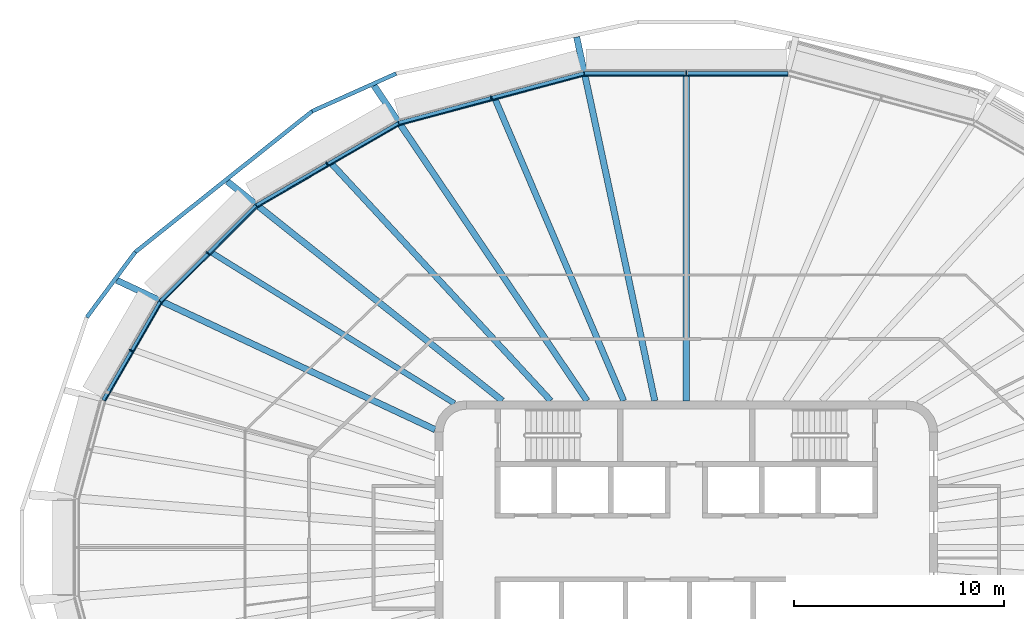
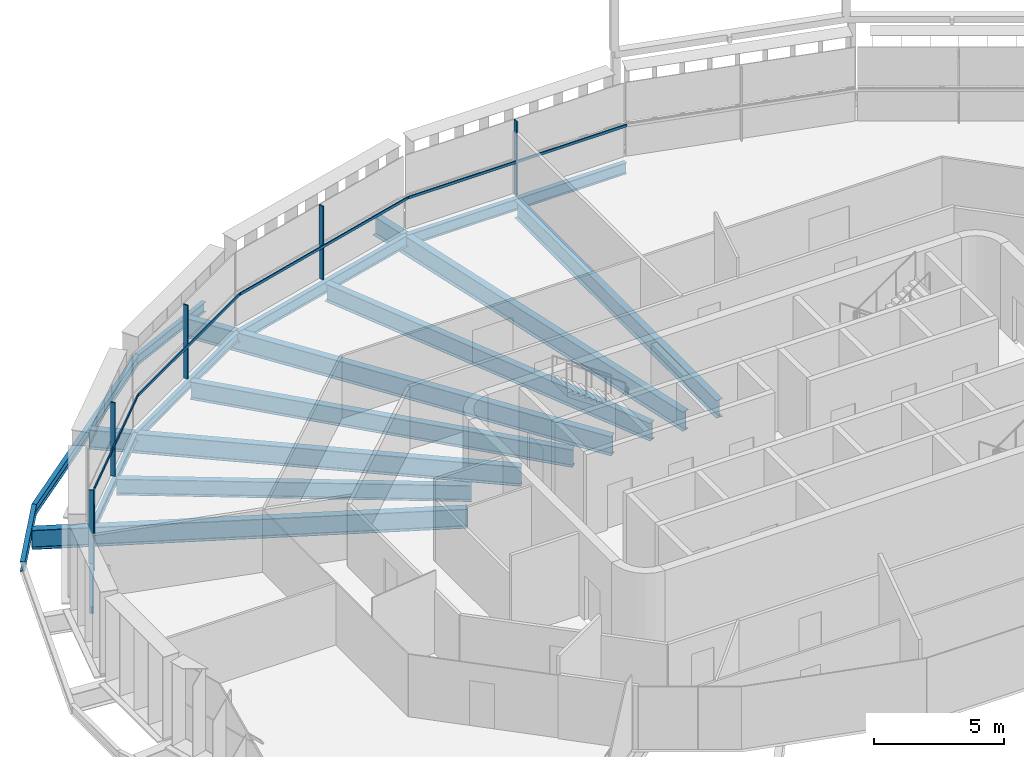
# One storey, part 5 of 19: 16 beams, 10 members, 5 elements without a shape of their own.
"""IFC4 building model written with IfcOpenShell, lengths in metres."""

from ifc_helpers import new_model, si_unit, direction, frame, origin, origin_2d, place, context, subcontext, project, spatial, rectangle, i_section, extrude, material, layer, layer_set, material_profile, profile_set, type_object, element, aggregate, save


model = new_model("IFC4")

# Units and contexts
model_context = context("Model", 3, precision=1e-05, world=origin(), true_north=direction((0.0, 1.0)))
body_context = subcontext(model_context, "Body", "Model", "MODEL_VIEW")
ifc_project = project(units=[si_unit("LENGTHUNIT", "METRE"), si_unit("AREAUNIT", "SQUARE_METRE"), si_unit("VOLUMEUNIT", "CUBIC_METRE"), si_unit("PLANEANGLEUNIT", "RADIAN"), si_unit("MASSUNIT", "GRAM", prefix="KILO")], contexts=[model_context])

# Site, building, storey
site_placement = place(None, origin())
site = spatial("IfcSite", under=ifc_project, at=site_placement, CompositionType="ELEMENT")
building_placement = place(site_placement, origin())
building = spatial("IfcBuilding", under=site, at=building_placement, Name="Sahrelin Media Tower", CompositionType="ELEMENT")
storey_placement = place(building_placement, frame((0.0, 0.0, 279.0)))
storey = spatial("IfcBuildingStorey", under=building, at=storey_placement, Name="L61", CompositionType="ELEMENT", Elevation=279.0)

# Beams
ifc_material_1 = material(Name="Steel S355", Category="steel")
ifc_material_profile_1 = material_profile(ifc_material_1, i_section(OverallWidth=0.1650390625, OverallDepth=0.303466796875, WebThickness=0.006103515625, FlangeThickness=0.01025390625, FilletRadius=0.0087890625, at=origin_2d()), Name="UB 305x165x40")
ifc_profile_set_1 = profile_set([ifc_material_profile_1], Name="Steel S355")
beam_type_1 = type_object("IfcBeamType", Name="Edge beam EB2", PredefinedType="BEAM", material=ifc_profile_set_1)
beam_1_placement = place(storey_placement, frame((-27.821044921875, 7.0302734375, -0.3017578125), z_axis=(0.500004447669, 0.866022835906, 0.0), x_axis=(-0.866022835906, 0.500004447669, 0.0)))
element("IfcBeam", 1, at=beam_1_placement, inside=storey, type_object=beam_type_1, Name="Edge beam L61-11", PredefinedType="BEAM", context=body_context, shape_type="SweptSolid", body=[
    extrude(i_section(OverallWidth=0.1650390625, OverallDepth=0.303466796875, WebThickness=0.006103515625, FlangeThickness=0.01025390625, FilletRadius=0.0087890625, at=origin_2d()), origin(), (0.0, 0.0, 1.0), 5.4208984375),
])
ifc_material_profile_2 = material_profile(ifc_material_1, i_section(OverallWidth=0.17138671875, OverallDepth=0.35498046875, WebThickness=0.00732421875, FlangeThickness=0.011474609375, FilletRadius=0.01025390625, at=origin_2d()), Name="UB 356x171x51")
ifc_profile_set_2 = profile_set([ifc_material_profile_2], Name="Steel S355")
beam_type_2 = type_object("IfcBeamType", Name="Edge beam EB3", PredefinedType="BEAM", material=ifc_profile_set_2)
beam_2_placement = place(storey_placement, frame((-25.093017578125, 11.747802734375, -0.327392578125), z_axis=(0.707106781187, 0.707106781187, 0.0), x_axis=(-0.707106781187, 0.707106781187, 0.0)))
element("IfcBeam", 2, at=beam_2_placement, inside=storey, type_object=beam_type_2, Name="Edge beam L61-12", PredefinedType="BEAM", context=body_context, shape_type="SweptSolid", body=[
    extrude(i_section(OverallWidth=0.17138671875, OverallDepth=0.35498046875, WebThickness=0.00732421875, FlangeThickness=0.011474609375, FilletRadius=0.01025390625, at=origin_2d()), origin(), (0.0, 0.0, 1.0), 6.448486328125),
])
ifc_material_profile_3 = material_profile(ifc_material_1, i_section(OverallWidth=0.177978515625, OverallDepth=0.406494140625, WebThickness=0.0078125, FlangeThickness=0.0126953125, FilletRadius=0.01025390625, at=origin_2d()), Name="UB 406x178x60")
ifc_profile_set_3 = profile_set([ifc_material_profile_3], Name="Steel S355")
beam_type_3 = type_object("IfcBeamType", Name="Edge beam EB4", PredefinedType="BEAM", material=ifc_profile_set_3)
beam_3_placement = place(storey_placement, frame((-20.510498046875, 16.324951171875, -0.353271484375), z_axis=(0.866023391957, 0.500003484571, 0.0), x_axis=(-0.500003484571, 0.866023391957, 0.0)))
element("IfcBeam", 3, at=beam_3_placement, inside=storey, type_object=beam_type_3, Name="Edge beam L61-13", PredefinedType="BEAM", context=body_context, shape_type="SweptSolid", body=[
    extrude(i_section(OverallWidth=0.177978515625, OverallDepth=0.406494140625, WebThickness=0.0078125, FlangeThickness=0.0126953125, FilletRadius=0.01025390625, at=origin_2d()), origin(), (0.0, 0.0, 1.0), 7.82080078125),
])
ifc_material_profile_4 = material_profile(ifc_material_1, i_section(OverallWidth=0.208740234375, OverallDepth=0.5283203125, WebThickness=0.009521484375, FlangeThickness=0.01318359375, FilletRadius=0.0126953125, at=origin_2d()), Name="UB 533x210x82")
ifc_profile_set_4 = profile_set([ifc_material_profile_4], Name="Steel S355")
beam_type_4 = type_object("IfcBeamType", Name="Edge beam EB6", PredefinedType="BEAM", material=ifc_profile_set_4)
beam_4_placement = place(storey_placement, frame((-13.7109375, 20.246337890625, -0.4140625), z_axis=(0.96592253305, 0.258831335326, 0.0), x_axis=(-0.258831335326, 0.96592253305, 0.0)))
element("IfcBeam", 4, at=beam_4_placement, inside=storey, type_object=beam_type_4, Name="Edge beam L61-14", PredefinedType="BEAM", context=body_context, shape_type="SweptSolid", body=[
    extrude(i_section(OverallWidth=0.208740234375, OverallDepth=0.5283203125, WebThickness=0.009521484375, FlangeThickness=0.01318359375, FilletRadius=0.0126953125, at=origin_2d()), origin(), (0.0, 0.0, 1.0), 9.13916015625),
])
beam_5_placement = place(storey_placement, frame((-4.8544921875, 22.615478515625, -0.4140625), z_axis=(1.0, 0.0, 0.0), x_axis=(0.0, 1.0, 0.0)))
element("IfcBeam", 5, at=beam_5_placement, inside=storey, type_object=beam_type_4, Name="Edge beam L61-15", PredefinedType="BEAM", context=body_context, shape_type="SweptSolid", body=[
    extrude(i_section(OverallWidth=0.208740234375, OverallDepth=0.5283203125, WebThickness=0.009521484375, FlangeThickness=0.01318359375, FilletRadius=0.0126953125, at=origin_2d()), origin(), (0.0, 0.0, 1.0), 9.708984375),
])

# Curtain wall, member
ifc_material_2 = material(Name="Champagne anodised aluminium 6063-T6", Category="aluminium")
ifc_layer = layer(ifc_material_2, 0.14990234375)
ifc_layer_set = layer_set([ifc_layer], Name="Tower ribbon curtain wall")
curtain_wall_type = type_object("IfcCurtainWallType", Name="Tower ribbon curtain wall", PredefinedType="NOTDEFINED", material=ifc_layer_set)
curtain_wall_1_placement = place(storey_placement, frame((0.0, 22.765380859375, 0.0), z_axis=(0.0, 0.0, 1.0), x_axis=(1.0, 0.0, 0.0)))
curtain_wall_1 = element("IfcCurtainWall", 6, at=curtain_wall_1_placement, inside=storey, type_object=curtain_wall_type, Name="L61:CW:L61-06", PredefinedType="NOTDEFINED")
ifc_material_profile_5 = material_profile(ifc_material_2, rectangle(XDim=0.06005859375, YDim=0.199951171875, at=origin_2d()), Name="Mullion 60x200")
ifc_profile_set_5 = profile_set([ifc_material_profile_5], Name="Champagne anodised aluminium 6063-T6")
member_type_1 = type_object("IfcMemberType", Name="Mullion 60x200 CW1C", PredefinedType="MULLION", material=ifc_profile_set_5)
member_1_placement = place(storey_placement, frame((0.0, 22.6455078125, 0.0), z_axis=(0.0, 0.0, 1.0), x_axis=(-1.0, 0.0, 0.0)))
member_1 = element("IfcMember", 7, at=member_1_placement, type_object=member_type_1, Name="L61:CWM:L61-06", PredefinedType="MULLION", context=body_context, shape_type="SweptSolid", body=[
    extrude(rectangle(XDim=0.06005859375, YDim=0.199951171875, at=origin_2d()), origin(), (0.0, 0.0, 1.0), 3.448486328125),
])

curtain_wall_2_placement = place(storey_placement, frame((-9.335693359375, 21.573974609375, 0.0), z_axis=(0.0, 0.0, 1.0), x_axis=(1.0, 0.0, 0.0)))
curtain_wall_2 = element("IfcCurtainWall", 8, at=curtain_wall_2_placement, inside=storey, type_object=curtain_wall_type, Name="L61:CW:L61-07", PredefinedType="NOTDEFINED")
member_2_placement = place(storey_placement, frame((-9.3046875, 21.4580078125, 0.0), z_axis=(0.0, 0.0, 1.0), x_axis=(-0.965926278012, -0.258817359244, 0.0)))
member_2 = element("IfcMember", 9, at=member_2_placement, type_object=member_type_1, Name="L61:CWM:L61-07", PredefinedType="MULLION", context=body_context, shape_type="SweptSolid", body=[
    extrude(rectangle(XDim=0.06005859375, YDim=0.199951171875, at=origin_2d()), origin(), (0.0, 0.0, 1.0), 3.448486328125),
])

curtain_wall_3_placement = place(storey_placement, frame((-17.198974609375, 18.41015625, 0.0), z_axis=(0.0, 0.0, 1.0), x_axis=(1.0, 0.0, 0.0)))
curtain_wall_3 = element("IfcCurtainWall", 10, at=curtain_wall_3_placement, inside=storey, type_object=curtain_wall_type, Name="L61:CW:L61-08", PredefinedType="NOTDEFINED")
member_3_placement = place(storey_placement, frame((-17.138916015625, 18.30615234375, 0.0), z_axis=(0.0, 0.0, 1.0), x_axis=(-0.866027149108, -0.499996976998, 0.0)))
member_3 = element("IfcMember", 11, at=member_3_placement, type_object=member_type_1, Name="L61:CWM:L61-08", PredefinedType="MULLION", context=body_context, shape_type="SweptSolid", body=[
    extrude(rectangle(XDim=0.06005859375, YDim=0.199951171875, at=origin_2d()), origin(), (0.0, 0.0, 1.0), 3.448486328125),
])

curtain_wall_4_placement = place(storey_placement, frame((-22.919189453125, 14.1337890625, 0.0), z_axis=(0.0, 0.0, 1.0), x_axis=(1.0, 0.0, 0.0)))
curtain_wall_4 = element("IfcCurtainWall", 12, at=curtain_wall_4_placement, inside=storey, type_object=curtain_wall_type, Name="L61:CW:L61-09", PredefinedType="NOTDEFINED")
member_4_placement = place(storey_placement, frame((-22.83447265625, 14.048828125, 0.0), z_axis=(0.0, 0.0, 1.0), x_axis=(-0.707106781187, -0.707106781187, 0.0)))
member_4 = element("IfcMember", 13, at=member_4_placement, type_object=member_type_1, Name="L61:CWM:L61-09", PredefinedType="MULLION", context=body_context, shape_type="SweptSolid", body=[
    extrude(rectangle(XDim=0.06005859375, YDim=0.199951171875, at=origin_2d()), origin(), (0.0, 0.0, 1.0), 3.448486328125),
])

curtain_wall_5_placement = place(storey_placement, frame((-26.595703125, 9.452392578125, 0.0), z_axis=(0.0, 0.0, 1.0), x_axis=(1.0, 0.0, 0.0)))
curtain_wall_5 = element("IfcCurtainWall", 14, at=curtain_wall_5_placement, inside=storey, type_object=curtain_wall_type, Name="L61:CW:L61-10", PredefinedType="NOTDEFINED")
member_5_placement = place(storey_placement, frame((-26.49169921875, 9.392578125, 0.0), z_axis=(0.0, 0.0, 1.0), x_axis=(-0.499996976998, -0.866027149108, 0.0)))
member_5 = element("IfcMember", 15, at=member_5_placement, type_object=member_type_1, Name="L61:CWM:L61-10", PredefinedType="MULLION", context=body_context, shape_type="SweptSolid", body=[
    extrude(rectangle(XDim=0.06005859375, YDim=0.199951171875, at=origin_2d()), origin(), (0.0, 0.0, 1.0), 3.448486328125),
])

# Beams
ifc_material_profile_6 = material_profile(ifc_material_1, i_section(OverallWidth=0.30322265625, OverallDepth=0.903076171875, WebThickness=0.01513671875, FlangeThickness=0.020263671875, FilletRadius=0.01904296875, at=origin_2d()), Name="UB 914x305x201")
ifc_profile_set_6 = profile_set([ifc_material_profile_6], Name="Steel S355")
beam_type_5 = type_object("IfcBeamType", Name="Radial primary beam PB11", PredefinedType="BEAM", material=ifc_profile_set_6)
beam_6_placement = place(storey_placement, frame((-1.50341796875, 7.0, -0.6015625), z_axis=(-0.209955483333, 0.977710946558, 0.0), x_axis=(-0.977710946558, -0.209955483333, 0.0)))
element("IfcBeam", 16, at=beam_6_placement, inside=storey, type_object=beam_type_5, Name="Radial beam L61-07", PredefinedType="BEAM", context=body_context, shape_type="SweptSolid", body=[
    extrude(i_section(OverallWidth=0.30322265625, OverallDepth=0.903076171875, WebThickness=0.01513671875, FlangeThickness=0.020263671875, FilletRadius=0.01904296875, at=origin_2d()), origin(), (0.0, 0.0, 1.0), 17.751708984375),
])
beam_7_placement = place(storey_placement, frame((-4.7333984375, 7.0, -0.6015625), z_axis=(-0.560166073141, 0.828380329621, 0.0), x_axis=(-0.828380329621, -0.560166073141, 0.0)))
element("IfcBeam", 17, at=beam_7_placement, inside=storey, type_object=beam_type_5, Name="Radial beam L61-08", PredefinedType="BEAM", context=body_context, shape_type="SweptSolid", body=[
    extrude(i_section(OverallWidth=0.30322265625, OverallDepth=0.903076171875, WebThickness=0.01513671875, FlangeThickness=0.020263671875, FilletRadius=0.01904296875, at=origin_2d()), origin(), (0.0, 0.0, 1.0), 18.153076171875),
])
beam_8_placement = place(storey_placement, frame((-8.77880859375, 7.0, -0.6015625), z_axis=(-0.781873501952, 0.62343710745, 0.0), x_axis=(-0.62343710745, -0.781873501952, 0.0)))
element("IfcBeam", 18, at=beam_8_placement, inside=storey, type_object=beam_type_5, Name="Radial beam L61-09", PredefinedType="BEAM", context=body_context, shape_type="SweptSolid", body=[
    extrude(i_section(OverallWidth=0.30322265625, OverallDepth=0.903076171875, WebThickness=0.01513671875, FlangeThickness=0.020263671875, FilletRadius=0.01904296875, at=origin_2d()), origin(), (0.0, 0.0, 1.0), 16.79150390625),
])
beam_9_placement = place(storey_placement, frame((-11.984130859375, 5.620361328125, -0.6015625), z_axis=(-0.905376992167, 0.42460864576, 0.0), x_axis=(-0.42460864576, -0.905376992167, 0.0)))
element("IfcBeam", 19, at=beam_9_placement, inside=storey, type_object=beam_type_5, Name="Radial beam L61-10", PredefinedType="BEAM", context=body_context, shape_type="SweptSolid", body=[
    extrude(i_section(OverallWidth=0.30322265625, OverallDepth=0.903076171875, WebThickness=0.01513671875, FlangeThickness=0.020263671875, FilletRadius=0.01904296875, at=origin_2d()), origin(), (0.0, 0.0, 1.0), 16.78466796875),
])
ifc_material_profile_7 = material_profile(ifc_material_1, i_section(OverallWidth=0.291748046875, OverallDepth=0.8349609375, WebThickness=0.013916015625, FlangeThickness=0.018798828125, FilletRadius=0.017822265625, at=origin_2d()), Name="UB 838x292x176")
ifc_profile_set_7 = profile_set([ifc_material_profile_7], Name="Steel S355")
beam_type_6 = type_object("IfcBeamType", Name="Radial secondary beam SB10", PredefinedType="BEAM", material=ifc_profile_set_7)
beam_10_placement = place(storey_placement, frame((0.0, 7.0, -0.5673828125), z_axis=(0.0, 1.0, 0.0), x_axis=(-1.0, 0.0, 0.0)))
element("IfcBeam", 20, at=beam_10_placement, inside=storey, type_object=beam_type_6, Name="Secondary beam L61-06", PredefinedType="BEAM", context=body_context, shape_type="SweptSolid", body=[
    extrude(i_section(OverallWidth=0.291748046875, OverallDepth=0.8349609375, WebThickness=0.013916015625, FlangeThickness=0.018798828125, FilletRadius=0.017822265625, at=origin_2d()), origin(), (0.0, 0.0, 1.0), 15.510986328125),
])
beam_11_placement = place(storey_placement, frame((-2.98486328125, 7.0, -0.5673828125), z_axis=(-0.392226786063, 0.919868549465, 0.0), x_axis=(-0.919868549465, -0.392226786063, 0.0)))
element("IfcBeam", 21, at=beam_11_placement, inside=storey, type_object=beam_type_6, Name="Secondary beam L61-07", PredefinedType="BEAM", context=body_context, shape_type="SweptSolid", body=[
    extrude(i_section(OverallWidth=0.291748046875, OverallDepth=0.8349609375, WebThickness=0.013916015625, FlangeThickness=0.018798828125, FilletRadius=0.017822265625, at=origin_2d()), origin(), (0.0, 0.0, 1.0), 15.6220703125),
])
beam_12_placement = place(storey_placement, frame((-6.470703125, 7.0, -0.5673828125), z_axis=(-0.67879267534, 0.734329969363, 0.0), x_axis=(-0.734329969363, -0.67879267534, 0.0)))
element("IfcBeam", 22, at=beam_12_placement, inside=storey, type_object=beam_type_6, Name="Secondary beam L61-08", PredefinedType="BEAM", context=body_context, shape_type="SweptSolid", body=[
    extrude(i_section(OverallWidth=0.291748046875, OverallDepth=0.8349609375, WebThickness=0.013916015625, FlangeThickness=0.018798828125, FilletRadius=0.017822265625, at=origin_2d()), origin(), (0.0, 0.0, 1.0), 15.385986328125),
])
ifc_material_profile_8 = material_profile(ifc_material_1, i_section(OverallWidth=0.26513671875, OverallDepth=0.75390625, WebThickness=0.0126953125, FlangeThickness=0.017578125, FilletRadius=0.0166015625, at=origin_2d()), Name="UB 762x267x147")
ifc_profile_set_8 = profile_set([ifc_material_profile_8], Name="Steel S355")
beam_type_7 = type_object("IfcBeamType", Name="Radial secondary beam SB9", PredefinedType="BEAM", material=ifc_profile_set_8)
beam_13_placement = place(storey_placement, frame((-11.0673828125, 6.87451171875, -0.527099609375), z_axis=(-0.849458639342, 0.527655209439, 0.0), x_axis=(-0.527655209439, -0.849458639342, 0.0)))
element("IfcBeam", 23, at=beam_13_placement, inside=storey, type_object=beam_type_7, Name="Secondary beam L61-09", PredefinedType="BEAM", context=body_context, shape_type="SweptSolid", body=[
    extrude(i_section(OverallWidth=0.26513671875, OverallDepth=0.75390625, WebThickness=0.0126953125, FlangeThickness=0.017578125, FilletRadius=0.0166015625, at=origin_2d()), origin(), (0.0, 0.0, 1.0), 13.635498046875),
])
ifc_material_profile_9 = material_profile(ifc_material_1, i_section(OverallWidth=0.1904296875, OverallDepth=0.45703125, WebThickness=0.009033203125, FlangeThickness=0.014404296875, FilletRadius=0.01025390625, at=origin_2d()), Name="UB 457x191x74")
ifc_profile_set_9 = profile_set([ifc_material_profile_9], Name="Steel S355")
beam_type_8 = type_object("IfcBeamType", Name="Tie chord TC5", PredefinedType="BEAM", material=ifc_profile_set_9)
beam_14_placement = place(storey_placement, frame((-13.84765625, 22.61474609375, -0.37841796875), z_axis=(-0.91245851259, -0.409169234915, 0.0), x_axis=(0.409169234915, -0.91245851259, 0.0)))
element("IfcBeam", 24, at=beam_14_placement, inside=storey, type_object=beam_type_8, Name="Tie chord L61-08", PredefinedType="BEAM", context=body_context, shape_type="SweptSolid", body=[
    extrude(i_section(OverallWidth=0.1904296875, OverallDepth=0.45703125, WebThickness=0.009033203125, FlangeThickness=0.014404296875, FilletRadius=0.01025390625, at=origin_2d()), origin(), (0.0, 0.0, 1.0), 4.3916015625),
])
beam_15_placement = place(storey_placement, frame((-17.854736328125, 20.81787109375, -0.37841796875), z_axis=(-0.782259324086, -0.6229529275, 0.0), x_axis=(0.6229529275, -0.782259324086, 0.0)))
element("IfcBeam", 25, at=beam_15_placement, inside=storey, type_object=beam_type_8, Name="Tie chord L61-09", PredefinedType="BEAM", context=body_context, shape_type="SweptSolid", body=[
    extrude(i_section(OverallWidth=0.1904296875, OverallDepth=0.45703125, WebThickness=0.009033203125, FlangeThickness=0.014404296875, FilletRadius=0.01025390625, at=origin_2d()), origin(), (0.0, 0.0, 1.0), 10.79345703125),
])
beam_16_placement = place(storey_placement, frame((-26.298095703125, 14.093994140625, -0.37841796875), z_axis=(-0.596610251129, -0.802531126031, 0.0), x_axis=(0.802531126031, -0.596610251129, 0.0)))
element("IfcBeam", 26, at=beam_16_placement, inside=storey, type_object=beam_type_8, Name="Tie chord L61-10", PredefinedType="BEAM", context=body_context, shape_type="SweptSolid", body=[
    extrude(i_section(OverallWidth=0.1904296875, OverallDepth=0.45703125, WebThickness=0.009033203125, FlangeThickness=0.014404296875, FilletRadius=0.01025390625, at=origin_2d()), origin(), (0.0, 0.0, 1.0), 3.878173828125),
])

# Member
ifc_material_profile_10 = material_profile(ifc_material_2, rectangle(XDim=0.050048828125, YDim=0.1201171875, at=origin_2d()), Name="Transom 50x120")
ifc_profile_set_10 = profile_set([ifc_material_profile_10], Name="Champagne anodised aluminium 6063-T6")
member_type_2 = type_object("IfcMemberType", Name="Transom 50x120 CW1C", PredefinedType="USERDEFINED", material=ifc_profile_set_10)
member_6_placement = place(storey_placement, frame((4.8388671875, 22.5205078125, 1.60009765625), z_axis=(-1.0, 0.0, 0.0), x_axis=(0.0, -1.0, 0.0)))
member_6 = element("IfcMember", 27, at=member_6_placement, type_object=member_type_2, Name="L61:CWT:L61-06", ObjectType="TRANSOM", PredefinedType="USERDEFINED", context=body_context, shape_type="SweptSolid", body=[
    extrude(rectangle(XDim=0.050048828125, YDim=0.1201171875, at=origin_2d()), origin(), (0.0, 0.0, 1.0), 9.677734375),
])

aggregate(curtain_wall_1, [member_1, member_6])

member_7_placement = place(storey_placement, frame((-4.873779296875, 22.515869140625, 1.60009765625), z_axis=(-0.965927710726, -0.258812012185, 0.0), x_axis=(0.258812012185, -0.965927710726, 0.0)))
member_7 = element("IfcMember", 28, at=member_7_placement, type_object=member_type_2, Name="L61:CWT:L61-07", ObjectType="TRANSOM", PredefinedType="USERDEFINED", context=body_context, shape_type="SweptSolid", body=[
    extrude(rectangle(XDim=0.050048828125, YDim=0.1201171875, at=origin_2d()), origin(), (0.0, 0.0, 1.0), 9.107666015625),
])

aggregate(curtain_wall_2, [member_2, member_7])

member_8_placement = place(storey_placement, frame((-13.70361328125, 20.145263671875, 1.60009765625), z_axis=(-0.866014382239, -0.500019089391, 0.0), x_axis=(0.500019089391, -0.866014382239, 0.0)))
member_8 = element("IfcMember", 29, at=member_8_placement, type_object=member_type_2, Name="L61:CWT:L61-08", ObjectType="TRANSOM", PredefinedType="USERDEFINED", context=body_context, shape_type="SweptSolid", body=[
    extrude(rectangle(XDim=0.050048828125, YDim=0.1201171875, at=origin_2d()), origin(), (0.0, 0.0, 1.0), 7.789306640625),
])

aggregate(curtain_wall_3, [member_3, member_8])

member_9_placement = place(storey_placement, frame((-20.477294921875, 16.229248046875, 1.60009765625), z_axis=(-0.707106781187, -0.707106781187, 0.0), x_axis=(0.707106781187, -0.707106781187, 0.0)))
member_9 = element("IfcMember", 30, at=member_9_placement, type_object=member_type_2, Name="L61:CWT:L61-09", ObjectType="TRANSOM", PredefinedType="USERDEFINED", context=body_context, shape_type="SweptSolid", body=[
    extrude(rectangle(XDim=0.050048828125, YDim=0.1201171875, at=origin_2d()), origin(), (0.0, 0.0, 1.0), 6.417236328125),
])

aggregate(curtain_wall_4, [member_4, member_9])

member_10_placement = place(storey_placement, frame((-25.0361328125, 11.663818359375, 1.60009765625), z_axis=(-0.500007391159, -0.866021136455, 0.0), x_axis=(0.866021136455, -0.500007391159, 0.0)))
member_10 = element("IfcMember", 31, at=member_10_placement, type_object=member_type_2, Name="L61:CWT:L61-10", ObjectType="TRANSOM", PredefinedType="USERDEFINED", context=body_context, shape_type="SweptSolid", body=[
    extrude(rectangle(XDim=0.050048828125, YDim=0.1201171875, at=origin_2d()), origin(), (0.0, 0.0, 1.0), 5.3896484375),
])

aggregate(curtain_wall_5, [member_5, member_10])

save(model, "model.ifc")
